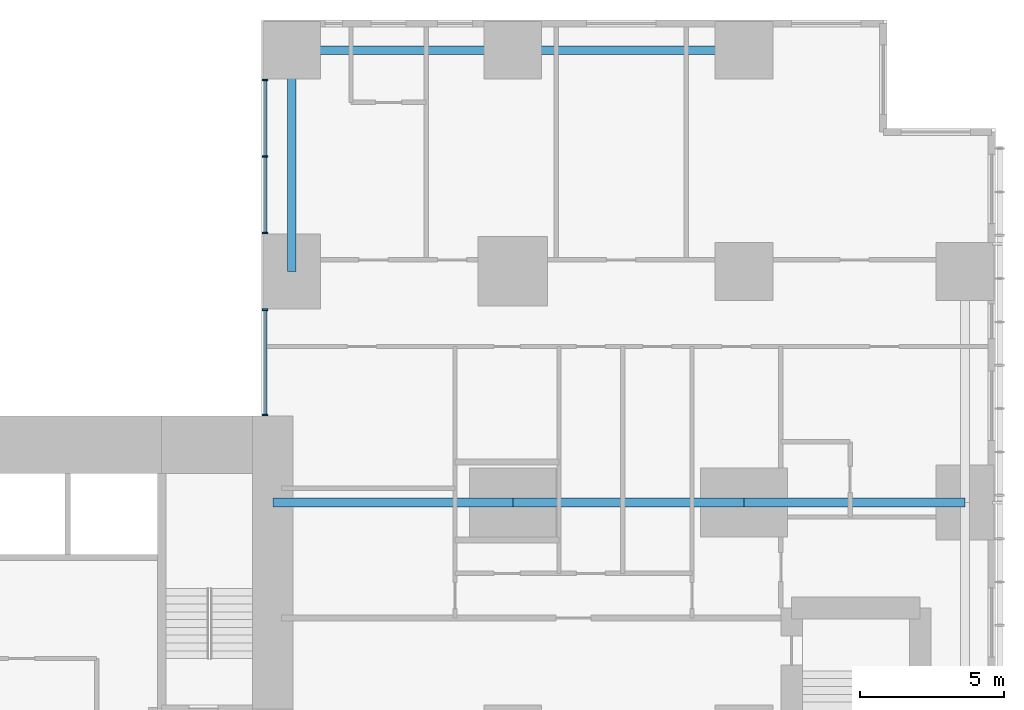
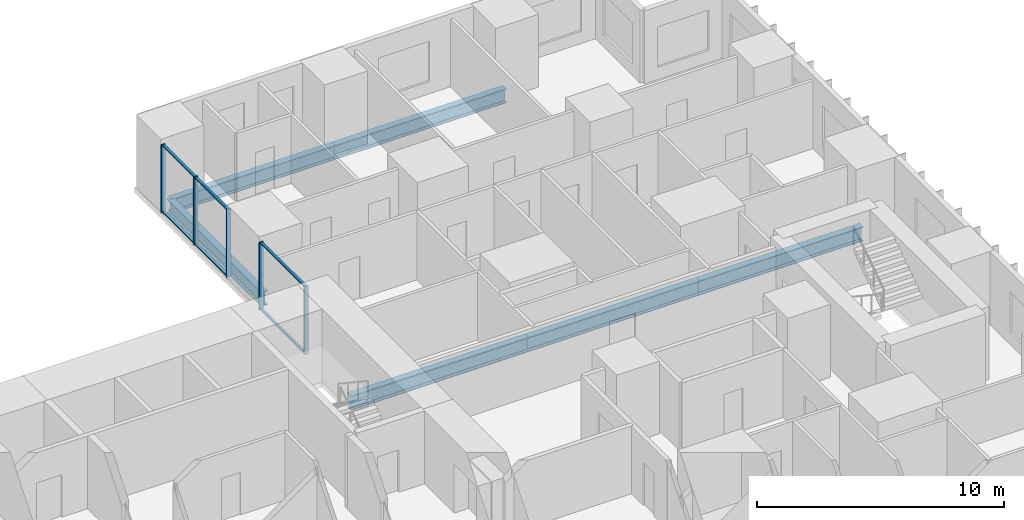
# One storey, part 5 of 20: 11 members, 6 beams, 2 elements without a shape of their own.
"""IFC4 building model written with IfcOpenShell, lengths in metres."""

from ifc_helpers import new_model, si_unit, direction, frame, origin, origin_2d, place, context, subcontext, project, spatial, rectangle, i_section, extrude, material, layer, layer_set, material_profile, profile_set, type_object, element, aggregate, save


model = new_model("IFC4")

# Units and contexts
model_context = context("Model", 3, precision=1e-05, world=origin(), true_north=direction((0.0, 1.0)))
body_context = subcontext(model_context, "Body", "Model", "MODEL_VIEW")
ifc_project = project(units=[si_unit("LENGTHUNIT", "METRE"), si_unit("AREAUNIT", "SQUARE_METRE"), si_unit("VOLUMEUNIT", "CUBIC_METRE"), si_unit("PLANEANGLEUNIT", "RADIAN"), si_unit("MASSUNIT", "GRAM", prefix="KILO")], contexts=[model_context])

# Site, building, storey
site_placement = place(None, origin())
site = spatial("IfcSite", under=ifc_project, at=site_placement, CompositionType="ELEMENT")
building_placement = place(site_placement, origin())
building = spatial("IfcBuilding", under=site, at=building_placement, Name="Cleftline Residences", CompositionType="ELEMENT")
storey_placement = place(building_placement, frame((0.0, 0.0, 69.199951171875)))
storey = spatial("IfcBuildingStorey", under=building, at=storey_placement, Name="L17", CompositionType="ELEMENT", Elevation=69.199951171875)

# Beams
ifc_material_1 = material(Name="Steel S355", Category="steel")
ifc_material_profile_1 = material_profile(ifc_material_1, i_section(OverallWidth=0.300048828125, OverallDepth=0.699951171875, WebThickness=0.01708984375, FlangeThickness=0.031982421875, FilletRadius=0.027099609375, at=origin_2d()))
ifc_profile_set_1 = profile_set([ifc_material_profile_1], Name="Steel S355")
beam_type_1 = type_object("IfcBeamType", Name="BEAM HEB 700", PredefinedType="BEAM", material=ifc_profile_set_1)
beam_1_placement = place(storey_placement, frame((58.0, 47.64990234375, -0.599853515625), z_axis=(-1.0, 0.0, 0.0), x_axis=(0.0, -1.0, 0.0)))
element("IfcBeam", 1, at=beam_1_placement, inside=storey, type_object=beam_type_1, Name="Edge beam", PredefinedType="BEAM", context=body_context, shape_type="SweptSolid", body=[
    extrude(i_section(OverallWidth=0.300048828125, OverallDepth=0.699951171875, WebThickness=0.01708984375, FlangeThickness=0.031982421875, FilletRadius=0.027099609375, at=origin_2d()), origin(), (0.0, 0.0, 1.0), 8.0),
])
for number, where, z_axis, x_axis, name in (
    (2, (50.0, 47.64990234375, -0.599853515625), (-1.0, 0.0, 0.0), (0.0, -1.0, 0.0), "Edge beam"),
    (3, (42.35009765625, 47.64990234375, -0.599853515625), (0.0, -1.0, 0.0), (1.0, 0.0, 0.0), "Edge beam"),
):
    element("IfcBeam", number, at=place(storey_placement, frame(where, z_axis=z_axis, x_axis=x_axis)), inside=storey, type_object=beam_type_1, Name=name, PredefinedType="BEAM", context=body_context, shape_type="SweptSolid", body=[
        extrude(i_section(OverallWidth=0.300048828125, OverallDepth=0.699951171875, WebThickness=0.01708984375, FlangeThickness=0.031982421875, FilletRadius=0.027099609375, at=origin_2d()), origin(), (0.0, 0.0, 1.0), 7.64990234375),
    ])
ifc_material_2 = material(Name="Steel S355", Category="steel")
ifc_material_profile_2 = material_profile(ifc_material_2, i_section(OverallWidth=0.303955078125, OverallDepth=0.716064453125, WebThickness=0.02099609375, FlangeThickness=0.0400390625, FilletRadius=0.027099609375, at=origin_2d()))
ifc_profile_set_2 = profile_set([ifc_material_profile_2], Name="Steel S355")
beam_type_2 = type_object("IfcBeamType", Name="BEAM HEM 700", PredefinedType="BEAM", material=ifc_profile_set_2)
beam_2_placement = place(storey_placement, frame((65.64990234375, 32.0, -0.60791015625), z_axis=(-1.0, 0.0, 0.0), x_axis=(0.0, -1.0, 0.0)))
element("IfcBeam", 4, at=beam_2_placement, inside=storey, type_object=beam_type_2, Name="Band beam", PredefinedType="BEAM", context=body_context, shape_type="SweptSolid", body=[
    extrude(i_section(OverallWidth=0.303955078125, OverallDepth=0.716064453125, WebThickness=0.02099609375, FlangeThickness=0.0400390625, FilletRadius=0.027099609375, at=origin_2d()), origin(), (0.0, 0.0, 1.0), 7.64990234375),
])
beam_3_placement = place(storey_placement, frame((58.0, 32.0, -0.60791015625), z_axis=(-1.0, 0.0, 0.0), x_axis=(0.0, -1.0, 0.0)))
element("IfcBeam", 5, at=beam_3_placement, inside=storey, type_object=beam_type_2, Name="Band beam", PredefinedType="BEAM", context=body_context, shape_type="SweptSolid", body=[
    extrude(i_section(OverallWidth=0.303955078125, OverallDepth=0.716064453125, WebThickness=0.02099609375, FlangeThickness=0.0400390625, FilletRadius=0.027099609375, at=origin_2d()), origin(), (0.0, 0.0, 1.0), 8.0),
])
beam_4_placement = place(storey_placement, frame((50.0, 32.0, -0.60791015625), z_axis=(-1.0, 0.0, 0.0), x_axis=(0.0, -1.0, 0.0)))
element("IfcBeam", 6, at=beam_4_placement, inside=storey, type_object=beam_type_2, Name="Band beam", PredefinedType="BEAM", context=body_context, shape_type="SweptSolid", body=[
    extrude(i_section(OverallWidth=0.303955078125, OverallDepth=0.716064453125, WebThickness=0.02099609375, FlangeThickness=0.0400390625, FilletRadius=0.027099609375, at=origin_2d()), origin(), (0.0, 0.0, 1.0), 8.300048828125),
])

# Curtain wall, members
ifc_material_3 = material(Name="Aluminium framed curtain wall", Category="aluminium")
ifc_layer = layer(ifc_material_3, 0.199951171875)
ifc_layer_set = layer_set([ifc_layer], Name="CW1 CLEFT GLAZING")
curtain_wall_type = type_object("IfcCurtainWallType", Name="CW1 CLEFT GLAZING", PredefinedType="NOTDEFINED", material=ifc_layer_set)
curtain_wall_1_placement = place(storey_placement, origin())
curtain_wall_1 = element("IfcCurtainWall", 7, at=curtain_wall_1_placement, inside=storey, type_object=curtain_wall_type, Name="Curtain wall CW1", PredefinedType="NOTDEFINED")
ifc_material_4 = material(Name="Aluminium mullion", Category="aluminium")
ifc_material_profile_3 = material_profile(ifc_material_4, rectangle(XDim=0.199951171875, YDim=0.06005859375, at=origin_2d()))
ifc_profile_set_3 = profile_set([ifc_material_profile_3], Name="Aluminium mullion")
member_type_1 = type_object("IfcMemberType", Name="CW1 MULLION", PredefinedType="MULLION", material=ifc_profile_set_3)
member_1_placement = place(storey_placement, frame((41.425048828125, 46.6201171875, 0.0), z_axis=(0.0, 0.0, 1.0), x_axis=(1.0, 0.0, 0.0)))
member_1 = element("IfcMember", 8, at=member_1_placement, type_object=member_type_1, Name="CW1 mullion 1", PredefinedType="MULLION", context=body_context, shape_type="SweptSolid", body=[
    extrude(rectangle(XDim=0.199951171875, YDim=0.06005859375, at=origin_2d()), origin(), (0.0, 0.0, 1.0), 3.35009765625),
])
member_2_placement = place(storey_placement, frame((41.425048828125, 43.97509765625, 0.0), z_axis=(0.0, 0.0, 1.0), x_axis=(1.0, 0.0, 0.0)))
member_2 = element("IfcMember", 9, at=member_2_placement, type_object=member_type_1, Name="CW1 mullion 2", PredefinedType="MULLION", context=body_context, shape_type="SweptSolid", body=[
    extrude(rectangle(XDim=0.199951171875, YDim=0.06005859375, at=origin_2d()), origin(), (0.0, 0.0, 1.0), 3.35009765625),
])
member_3_placement = place(storey_placement, frame((41.425048828125, 41.330078125, 0.0), z_axis=(0.0, 0.0, 1.0), x_axis=(1.0, 0.0, 0.0)))
member_3 = element("IfcMember", 10, at=member_3_placement, type_object=member_type_1, Name="CW1 mullion 3", PredefinedType="MULLION", context=body_context, shape_type="SweptSolid", body=[
    extrude(rectangle(XDim=0.199951171875, YDim=0.06005859375, at=origin_2d()), origin(), (0.0, 0.0, 1.0), 3.35009765625),
])

curtain_wall_2_placement = place(storey_placement, origin())
curtain_wall_2 = element("IfcCurtainWall", 11, at=curtain_wall_2_placement, inside=storey, type_object=curtain_wall_type, Name="Curtain wall CW1", PredefinedType="NOTDEFINED")
member_4_placement = place(storey_placement, frame((41.425048828125, 38.669921875, 0.0), z_axis=(0.0, 0.0, 1.0), x_axis=(1.0, 0.0, 0.0)))
member_4 = element("IfcMember", 12, at=member_4_placement, type_object=member_type_1, Name="CW1 mullion 1", PredefinedType="MULLION", context=body_context, shape_type="SweptSolid", body=[
    extrude(rectangle(XDim=0.199951171875, YDim=0.06005859375, at=origin_2d()), origin(), (0.0, 0.0, 1.0), 3.35009765625),
])
member_5_placement = place(storey_placement, frame((41.425048828125, 35.030029296875, 0.0), z_axis=(0.0, 0.0, 1.0), x_axis=(1.0, 0.0, 0.0)))
member_5 = element("IfcMember", 13, at=member_5_placement, type_object=member_type_1, Name="CW1 mullion 2", PredefinedType="MULLION", context=body_context, shape_type="SweptSolid", body=[
    extrude(rectangle(XDim=0.199951171875, YDim=0.06005859375, at=origin_2d()), origin(), (0.0, 0.0, 1.0), 3.35009765625),
])

# Member
ifc_material_5 = material(Name="Aluminium transom", Category="aluminium")
ifc_material_profile_4 = material_profile(ifc_material_5, rectangle(XDim=0.1201171875, YDim=0.06005859375, at=origin_2d()))
ifc_profile_set_4 = profile_set([ifc_material_profile_4], Name="Aluminium transom")
member_type_2 = type_object("IfcMemberType", Name="CW1 TRANSOM", PredefinedType="USERDEFINED", material=ifc_profile_set_4)
member_6_placement = place(storey_placement, frame((41.425048828125, 46.590087890625, 0.030029296875), z_axis=(0.0, -1.0, 0.0), x_axis=(1.0, 0.0, 0.0)))
member_6 = element("IfcMember", 14, at=member_6_placement, type_object=member_type_2, Name="CW1 transom 1.1", ObjectType="TRANSOM", PredefinedType="USERDEFINED", context=body_context, shape_type="SweptSolid", body=[
    extrude(rectangle(XDim=0.1201171875, YDim=0.06005859375, at=origin_2d()), origin(), (0.0, 0.0, 1.0), 2.585205078125),
])

member_7_placement = place(storey_placement, frame((41.425048828125, 46.590087890625, 3.320068359375), z_axis=(0.0, -1.0, 0.0), x_axis=(1.0, 0.0, 0.0)))
member_7 = element("IfcMember", 15, at=member_7_placement, type_object=member_type_2, Name="CW1 transom 1.2", ObjectType="TRANSOM", PredefinedType="USERDEFINED", context=body_context, shape_type="SweptSolid", body=[
    extrude(rectangle(XDim=0.1201171875, YDim=0.06005859375, at=origin_2d()), origin(), (0.0, 0.0, 1.0), 2.585205078125),
])

member_8_placement = place(storey_placement, frame((41.425048828125, 43.945068359375, 0.030029296875), z_axis=(0.0, -1.0, 0.0), x_axis=(1.0, 0.0, 0.0)))
member_8 = element("IfcMember", 16, at=member_8_placement, type_object=member_type_2, Name="CW1 transom 2.1", ObjectType="TRANSOM", PredefinedType="USERDEFINED", context=body_context, shape_type="SweptSolid", body=[
    extrude(rectangle(XDim=0.1201171875, YDim=0.06005859375, at=origin_2d()), origin(), (0.0, 0.0, 1.0), 2.5849609375),
])

member_9_placement = place(storey_placement, frame((41.425048828125, 43.945068359375, 3.320068359375), z_axis=(0.0, -1.0, 0.0), x_axis=(1.0, 0.0, 0.0)))
member_9 = element("IfcMember", 17, at=member_9_placement, type_object=member_type_2, Name="CW1 transom 2.2", ObjectType="TRANSOM", PredefinedType="USERDEFINED", context=body_context, shape_type="SweptSolid", body=[
    extrude(rectangle(XDim=0.1201171875, YDim=0.06005859375, at=origin_2d()), origin(), (0.0, 0.0, 1.0), 2.5849609375),
])

aggregate(curtain_wall_1, [member_1, member_2, member_3, member_6, member_7, member_8, member_9])

member_10_placement = place(storey_placement, frame((41.425048828125, 38.639892578125, 0.030029296875), z_axis=(0.0, -1.0, 0.0), x_axis=(1.0, 0.0, 0.0)))
member_10 = element("IfcMember", 18, at=member_10_placement, type_object=member_type_2, Name="CW1 transom 1.1", ObjectType="TRANSOM", PredefinedType="USERDEFINED", context=body_context, shape_type="SweptSolid", body=[
    extrude(rectangle(XDim=0.1201171875, YDim=0.06005859375, at=origin_2d()), origin(), (0.0, 0.0, 1.0), 3.579833984375),
])

member_11_placement = place(storey_placement, frame((41.425048828125, 38.639892578125, 3.320068359375), z_axis=(0.0, -1.0, 0.0), x_axis=(1.0, 0.0, 0.0)))
member_11 = element("IfcMember", 19, at=member_11_placement, type_object=member_type_2, Name="CW1 transom 1.2", ObjectType="TRANSOM", PredefinedType="USERDEFINED", context=body_context, shape_type="SweptSolid", body=[
    extrude(rectangle(XDim=0.1201171875, YDim=0.06005859375, at=origin_2d()), origin(), (0.0, 0.0, 1.0), 3.579833984375),
])

aggregate(curtain_wall_2, [member_4, member_5, member_10, member_11])

save(model, "model.ifc")
